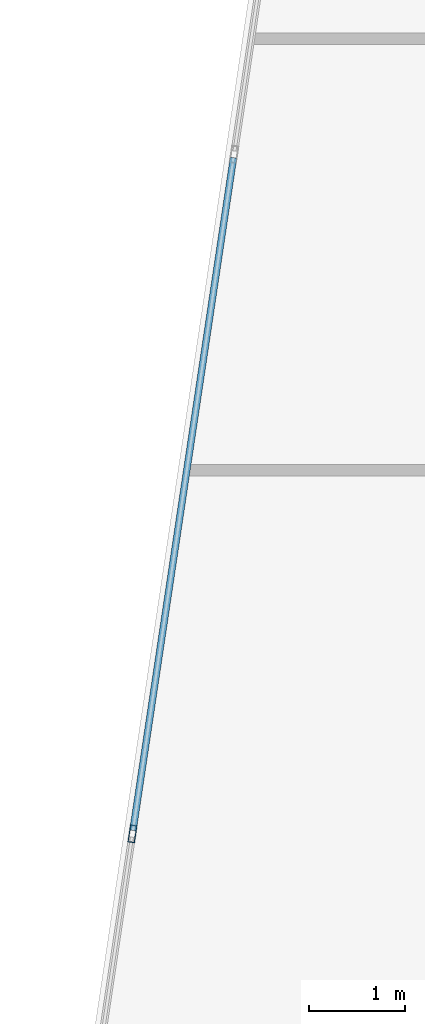
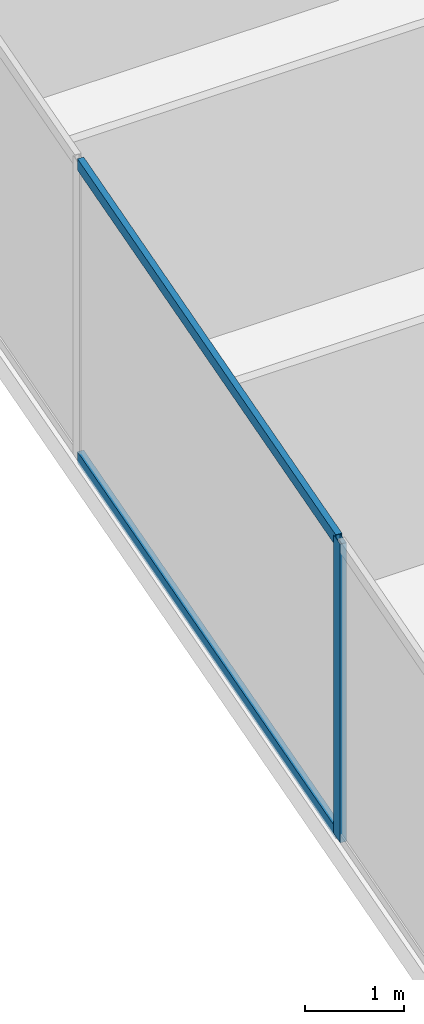
# One storey, part 6 of 29: 3 members, 1 element without a shape of its own.
"""IFC4 building model written with IfcOpenShell, lengths in metres."""

import ifcopenshell
import ifcopenshell.guid

model = None  # the IFC model being written
_history = None  # IfcOwnerHistory: only IFC2X3 demands one
_inside = {}  # id of a spatial element -> (the spatial element, [elements in it])
_under = {}  # id of a project, library or spatial element -> (it, [spatial elements below it])
_declared = {}  # id of a project -> (the project, [libraries it declares])
_typed = {}  # id of a type object -> (the type object, [elements of that type])
_made_of = {}  # id of a material, layer set ... -> (it, [elements and type objects made of it])


def new_model(schema):
    """Start an empty IFC model of exactly this schema.

    Asked for "IFC4X3", IfcOpenShell would pick the latest addendum, in which some entities
    have other attributes; the version numbers below select the first issue.
    IFC2X3 requires an IfcOwnerHistory on every rooted entity: one is made here for all.
    """
    global model, _history
    if schema == "IFC4X3":
        model = ifcopenshell.file(schema_version=(4, 3, 0, 0))
    else:
        model = ifcopenshell.file(schema=schema)
    _inside.clear()
    _under.clear()
    _declared.clear()
    _typed.clear()
    _made_of.clear()
    _history = None
    if model.schema == "IFC2X3":
        org = make("IfcOrganization", Name="unknown")
        user = make(
            "IfcPersonAndOrganization",
            ThePerson=make("IfcPerson", FamilyName="unknown"),
            TheOrganization=org,
        )
        app = make(
            "IfcApplication",
            ApplicationDeveloper=org,
            Version="unknown",
            ApplicationFullName="unknown",
            ApplicationIdentifier="unknown",
        )
        _history = make(
            "IfcOwnerHistory",
            OwningUser=user,
            OwningApplication=app,
            ChangeAction="ADDED",
            CreationDate=0,
        )
    return model


def make(cls, **values):
    """One entity of the class cls with the attributes given. An attribute that is None is left unset."""
    return model.create_entity(
        cls, **{name: value for name, value in values.items() if value is not None}
    )


def rooted(cls, **values):
    """An entity with a GlobalId (a new one), such as an element, a storey or a relation."""
    return make(cls, GlobalId=ifcopenshell.guid.new(), OwnerHistory=_history, **values)


def si_unit(unit_type, name, prefix=None):
    """IfcSIUnit, for example si_unit("LENGTHUNIT", "METRE", prefix="MILLI")."""
    return make("IfcSIUnit", UnitType=unit_type, Prefix=prefix, Name=name)


def assignment(units):
    """IfcUnitAssignment: the units of a project."""
    return None if units is None else make("IfcUnitAssignment", Units=units)


def point(xyz):
    """IfcCartesianPoint."""
    return None if xyz is None else make("IfcCartesianPoint", Coordinates=xyz)


def direction(xyz):
    """IfcDirection."""
    return None if xyz is None else make("IfcDirection", DirectionRatios=xyz)


def frame(location, z_axis=None, x_axis=None):
    """IfcAxis2Placement3D, a coordinate frame: its origin and axes. An axis left out is left unset."""
    return make(
        "IfcAxis2Placement3D",
        Location=point(location),
        Axis=direction(z_axis),
        RefDirection=direction(x_axis),
    )


def frame_2d(location, x_axis=None):
    """IfcAxis2Placement2D, a coordinate frame in the plane: its origin and x axis."""
    return make(
        "IfcAxis2Placement2D", Location=point(location), RefDirection=direction(x_axis)
    )


def origin():
    """The frame at (0, 0, 0) with its axes left unset."""
    return frame((0.0, 0.0, 0.0))


def origin_2d():
    """The frame at (0, 0) in the plane with its x axis left unset."""
    return frame_2d((0.0, 0.0))


def place(relative_to, where):
    """IfcLocalPlacement: puts the frame where relative to a parent placement (None: the world)."""
    return make(
        "IfcLocalPlacement", PlacementRelTo=relative_to, RelativePlacement=where
    )


def context(
    kind, dimensions, precision=None, world=None, true_north=None, identifier=None
):
    """IfcGeometricRepresentationContext, for example the 3D "Model" context."""
    return make(
        "IfcGeometricRepresentationContext",
        ContextIdentifier=identifier,
        ContextType=kind,
        CoordinateSpaceDimension=dimensions,
        Precision=precision,
        WorldCoordinateSystem=world,
        TrueNorth=true_north,
    )


def subcontext(parent, identifier, kind, view, scale=None):
    """IfcGeometricRepresentationSubContext, for example "Body" below "Model"."""
    return make(
        "IfcGeometricRepresentationSubContext",
        ContextIdentifier=identifier,
        ContextType=kind,
        ParentContext=parent,
        TargetScale=scale,
        TargetView=view,
    )


def project(units=None, contexts=None):
    """IfcProject with its units and contexts."""
    return rooted(
        "IfcProject",
        Name="project",
        RepresentationContexts=contexts,
        UnitsInContext=assignment(units),
    )


def spatial(cls, under=None, at=None, **own):
    """A site, building, storey or space (cls), placed at a placement, below another one or the project."""
    s = rooted(cls, ObjectPlacement=at, **own)
    if under is not None:
        _under.setdefault(under.id(), (under, []))[1].append(s)
    return s


def profile(cls, at=None, kind="AREA", **sizes):
    """A parametric profile (cls). Its sizes go by their IFC names, for example OverallWidth=200.0."""
    return make(cls, ProfileType=kind, Position=at, **sizes)


def hollow_rectangle(**sizes):
    """IfcRectangleHollowProfileDef."""
    return profile("IfcRectangleHollowProfileDef", **sizes)


def extrude(swept, where, along, depth):
    """IfcExtrudedAreaSolid: the profile swept, set in the frame where, extruded along a direction by depth."""
    return make(
        "IfcExtrudedAreaSolid",
        SweptArea=swept,
        Position=where,
        ExtrudedDirection=direction(along),
        Depth=depth,
    )


def shape(context_of_items, identifier, shape_type, items):
    """IfcShapeRepresentation: the items that make up one representation, for example the "Body"."""
    return make(
        "IfcShapeRepresentation",
        ContextOfItems=context_of_items,
        RepresentationIdentifier=identifier,
        RepresentationType=shape_type,
        Items=items,
    )


def source(mapping_origin, context_of_items, identifier, shape_type, items):
    """IfcRepresentationMap: a shape defined once, which mapped items show again and again."""
    return make(
        "IfcRepresentationMap",
        MappingOrigin=mapping_origin,
        MappedRepresentation=shape(context_of_items, identifier, shape_type, items),
    )


def transform(
    local_origin,
    x_axis=None,
    y_axis=None,
    z_axis=None,
    scale=None,
    scale2=None,
    scale3=None,
    uniform=True,
):
    """IfcCartesianTransformationOperator3D, or its non-uniform kind. x_axis, y_axis, z_axis: its Axis1, 2, 3."""
    if uniform:
        return make(
            "IfcCartesianTransformationOperator3D",
            Axis1=direction(x_axis),
            Axis2=direction(y_axis),
            LocalOrigin=point(local_origin),
            Scale=scale,
            Axis3=direction(z_axis),
        )
    return make(
        "IfcCartesianTransformationOperator3DnonUniform",
        Axis1=direction(x_axis),
        Axis2=direction(y_axis),
        LocalOrigin=point(local_origin),
        Scale=scale,
        Axis3=direction(z_axis),
        Scale2=scale2,
        Scale3=scale3,
    )


def mapped(mapping_source, mapping_target):
    """IfcMappedItem: shows the shape of a source again, moved by a transform."""
    return make(
        "IfcMappedItem", MappingSource=mapping_source, MappingTarget=mapping_target
    )


def material(Name=None, Category=None):
    """IfcMaterial."""
    return make("IfcMaterial", Name=Name, Category=Category)


def material_profile(
    of_material, cross_section, Name=None, Category=None, Priority=None
):
    """IfcMaterialProfile: a cross section and its material."""
    return make(
        "IfcMaterialProfile",
        Name=Name,
        Material=of_material,
        Profile=cross_section,
        Priority=Priority,
        Category=Category,
    )


def profile_set(profiles, Name=None, composite=None):
    """IfcMaterialProfileSet."""
    return make(
        "IfcMaterialProfileSet",
        Name=Name,
        MaterialProfiles=profiles,
        CompositeProfile=composite,
    )


def made_of(thing, what):
    """Note that an element or type object is made of a material, layer set ...; save() writes the relation."""
    if what is not None:
        _made_of.setdefault(what.id(), (what, []))[1].append(thing)
    return thing


def type_object(cls, material=None, **own):
    """A type object (cls), such as IfcWallType, which elements share."""
    return made_of(rooted(cls, **own), material)


def type_shapes(of_type, sources):
    """Give a type object the sources (RepresentationMaps) that its elements show as mapped items."""
    of_type.RepresentationMaps = sources


def element(
    cls,
    number,
    at=None,
    inside=None,
    cuts=None,
    type_object=None,
    material=None,
    context=None,
    identifier="Body",
    shape_type=None,
    held_by="IfcProductDefinitionShape",
    body=None,
    shapes=None,
    **own,
):
    """One element of the class cls, such as IfcWall. Its Tag is "e" and its number.

    at: its placement. inside: the storey or other place that contains it. cuts: it is an
    opening in that element (IfcRelVoidsElement). A single representation is given by context,
    identifier, shape_type and body (its items); several are given by shapes. held_by: the class
    of the entity that holds the representations. save() writes the other relations.
    """
    e = rooted(cls, Tag="e%d" % number, ObjectPlacement=at, **own)
    if body is not None:
        shapes = [shape(context, identifier, shape_type, body)]
    if shapes is not None:
        e.Representation = make(held_by, Representations=shapes)
    if inside is not None:
        _inside.setdefault(inside.id(), (inside, []))[1].append(e)
    if cuts is not None:
        rooted(
            "IfcRelVoidsElement", RelatingBuildingElement=cuts, RelatedOpeningElement=e
        )
    if type_object is not None:
        _typed.setdefault(type_object.id(), (type_object, []))[1].append(e)
    return made_of(e, material)


def aggregate(whole, parts):
    """IfcRelAggregates: a whole, such as a stair, and the parts it consists of."""
    return rooted("IfcRelAggregates", RelatingObject=whole, RelatedObjects=parts)


def save(model, path):
    """Write the relations noted so far, then the file.

    IfcRelAggregates (storeys below a building ...), IfcRelContainedInSpatialStructure (elements
    in a storey), IfcRelDefinesByType, IfcRelAssociatesMaterial and IfcRelDeclares: one each for
    every whole, place, type object, material and project.
    """
    for whole, parts in _under.values():
        aggregate(whole, parts)
    for where, things in _inside.values():
        rooted(
            "IfcRelContainedInSpatialStructure",
            RelatedElements=things,
            RelatingStructure=where,
        )
    for kind, things in _typed.values():
        rooted("IfcRelDefinesByType", RelatedObjects=things, RelatingType=kind)
    for what, things in _made_of.values():
        rooted("IfcRelAssociatesMaterial", RelatedObjects=things, RelatingMaterial=what)
    for by, libraries in _declared.values():
        rooted("IfcRelDeclares", RelatingContext=by, RelatedDefinitions=libraries)
    model.write(path)


model = new_model("IFC4")

# Units and contexts
model_context = context("Model", 3, precision=1e-05, world=origin(), true_north=direction((0.0, 1.0)))
body_context = subcontext(model_context, "Body", "Model", "MODEL_VIEW")
ifc_project = project(units=[si_unit("LENGTHUNIT", "METRE"), si_unit("AREAUNIT", "SQUARE_METRE"), si_unit("VOLUMEUNIT", "CUBIC_METRE"), si_unit("PLANEANGLEUNIT", "RADIAN"), si_unit("MASSUNIT", "GRAM", prefix="KILO")], contexts=[model_context])

# Site, building, storey
site_placement = place(None, origin())
site = spatial("IfcSite", under=ifc_project, at=site_placement, CompositionType="ELEMENT")
building_placement = place(site_placement, origin())
building = spatial("IfcBuilding", under=site, at=building_placement, Name="Krantzveldt Concourse Tower", CompositionType="ELEMENT")
storey_placement = place(building_placement, frame((0.0, 0.0, 72.39990234375)))
storey = spatial("IfcBuildingStorey", under=building, at=storey_placement, Name="L17", CompositionType="ELEMENT", Elevation=72.39990234375)

# Curtain wall, members
ifc_material = material(Name="Anodised aluminium 6063-T6", Category="aluminium")
curtain_wall_type = type_object("IfcCurtainWallType", Name="CW2", PredefinedType="USERDEFINED", material=ifc_material)
curtain_wall_placement = place(storey_placement, origin())
curtain_wall = element("IfcCurtainWall", 1, at=curtain_wall_placement, inside=storey, type_object=curtain_wall_type, Name="CW-L17-F01", ObjectType="UNITISED CURTAIN WALL", PredefinedType="USERDEFINED")
ifc_material_profile_1 = material_profile(ifc_material, hollow_rectangle(XDim=0.070068359375, YDim=0.179931640625, WallThickness=0.0048828125, at=origin_2d()), Name="Anodised aluminium 6063-T6", Category="aluminium")
ifc_profile_set_1 = profile_set([ifc_material_profile_1], Name="Anodised aluminium 6063-T6 - ALU-MULL 180x70x5")
member_type_1 = type_object("IfcMemberType", Name="CW-MUL-180", PredefinedType="MULLION", material=ifc_profile_set_1)
shared_shape_1 = source(origin(), body_context, "Body", "SweptSolid", [
    extrude(hollow_rectangle(XDim=0.070068359375, YDim=0.179931640625, WallThickness=0.0048828125, at=origin_2d()), origin(), (0.0, 0.0, 1.0), 3.670166015625),
])
type_shapes(member_type_1, [shared_shape_1])
member_1_placement = place(storey_placement, frame((9.2451171875, 16.2060546875, 0.0), z_axis=(0.0, 0.0, 1.0), x_axis=(0.989015849271, -0.147809505412, 0.0)))
member_1 = element("IfcMember", 2, at=member_1_placement, type_object=member_type_1, Name="CW-Z12 mullion 6", PredefinedType="MULLION", context=body_context, shape_type="MappedRepresentation", body=[
    mapped(shared_shape_1, transform((0.0, 0.0, 0.0), x_axis=(1.0, 0.0, 0.0), y_axis=(0.0, 1.0, 0.0), z_axis=(0.0, 0.0, 1.0), scale=1.0)),
])
ifc_material_profile_2 = material_profile(ifc_material, hollow_rectangle(XDim=0.070068359375, YDim=0.139892578125, WallThickness=0.0048828125, at=origin_2d()), Name="Anodised aluminium 6063-T6", Category="aluminium")
ifc_profile_set_2 = profile_set([ifc_material_profile_2], Name="Anodised aluminium 6063-T6 - ALU-TRAN 140x70x5")
member_type_2 = type_object("IfcMemberType", Name="CW-TRN-150", PredefinedType="USERDEFINED", material=ifc_profile_set_2)
shared_shape_2 = source(origin(), body_context, "Body", "SweptSolid", [
    extrude(hollow_rectangle(XDim=0.070068359375, YDim=0.139892578125, WallThickness=0.0048828125, at=origin_2d()), origin(), (0.0, 0.0, 1.0), 7.096435546875),
])
type_shapes(member_type_2, [shared_shape_2])
member_2_placement = place(storey_placement, frame((10.299072265625, 23.25927734375, 0.03515625), z_axis=(-0.147795365468, -0.989017962398, 0.0), x_axis=(0.989017962398, -0.147795365468, 0.0)))
member_2 = element("IfcMember", 3, at=member_2_placement, type_object=member_type_2, Name="CW-Z12 transom 5.1", ObjectType="TRANSOM", PredefinedType="USERDEFINED", context=body_context, shape_type="MappedRepresentation", body=[
    mapped(shared_shape_2, transform((0.0, 0.0, 0.0), x_axis=(1.0, 0.0, 0.0), y_axis=(0.0, 1.0, 0.0), z_axis=(0.0, 0.0, 1.0), scale=1.0)),
])
member_3_placement = place(storey_placement, frame((10.299072265625, 23.25927734375, 3.635009765625), z_axis=(-0.147795365468, -0.989017962398, 0.0), x_axis=(0.989017962398, -0.147795365468, 0.0)))
member_3 = element("IfcMember", 4, at=member_3_placement, type_object=member_type_2, Name="CW-Z12 transom 5.2", ObjectType="TRANSOM", PredefinedType="USERDEFINED", context=body_context, shape_type="MappedRepresentation", body=[
    mapped(shared_shape_2, transform((0.0, 0.0, 0.0), x_axis=(1.0, 0.0, 0.0), y_axis=(0.0, 1.0, 0.0), z_axis=(0.0, 0.0, 1.0), scale=1.0)),
])
aggregate(curtain_wall, [member_1, member_2, member_3])

save(model, "model.ifc")
